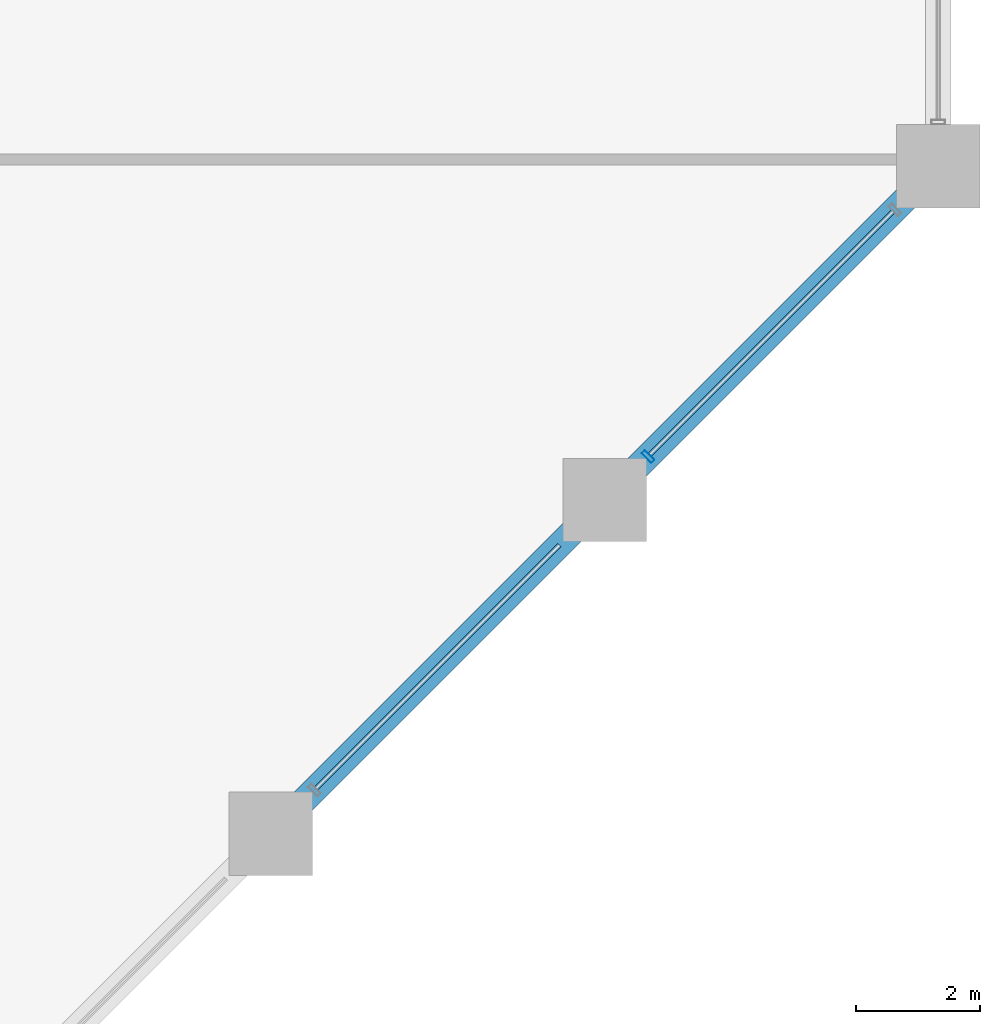
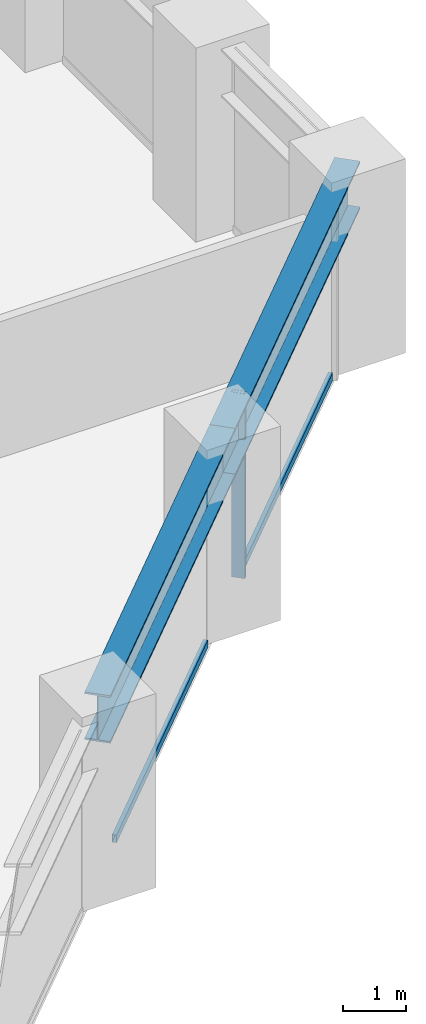
# One storey, part 9 of 25: 3 members, 2 beams, 1 element without a shape of its own.
"""IFC4 building model written with IfcOpenShell, lengths in metres."""

from ifc_helpers import new_model, si_unit, direction, frame, origin, origin_2d, place, context, subcontext, project, spatial, hollow_rectangle, i_section, extrude, material, layer, layer_set, material_profile, profile_set, type_object, element, aggregate, save


model = new_model("IFC4")

# Units and contexts
model_context = context("Model", 3, precision=1e-05, world=origin(), true_north=direction((0.0, 1.0)))
body_context = subcontext(model_context, "Body", "Model", "MODEL_VIEW")
ifc_project = project(units=[si_unit("LENGTHUNIT", "METRE"), si_unit("AREAUNIT", "SQUARE_METRE"), si_unit("VOLUMEUNIT", "CUBIC_METRE"), si_unit("PLANEANGLEUNIT", "RADIAN"), si_unit("MASSUNIT", "GRAM", prefix="KILO")], contexts=[model_context])

# Site, building, storey
site_placement = place(None, origin())
site = spatial("IfcSite", under=ifc_project, at=site_placement, CompositionType="ELEMENT")
building_placement = place(site_placement, origin())
building = spatial("IfcBuilding", under=site, at=building_placement, Name="Surkhivell Harbour Commons", CompositionType="ELEMENT")
storey_placement = place(building_placement, frame((0.0, 0.0, 48.75)))
storey = spatial("IfcBuildingStorey", under=building, at=storey_placement, Name="L12", CompositionType="ELEMENT", Elevation=48.75)

# Beams
ifc_material_1 = material(Name="Steel S460", Category="steel")
ifc_material_profile_1 = material_profile(ifc_material_1, i_section(OverallWidth=0.419921875, OverallDepth=0.9208984375, WebThickness=0.021484375, FlangeThickness=0.03662109375, at=origin_2d()), Name="UB914x419x388")
ifc_profile_set_1 = profile_set([ifc_material_profile_1], Name="Steel S460")
beam_type = type_object("IfcBeamType", Name="BM-SPN-914A", PredefinedType="SPANDREL", material=ifc_profile_set_1)
for number, where, z_axis, x_axis, name in (
    (1, (21.60009765625, -4.300048828125, 3.109619140625), (0.707090796496, 0.707122765516, 0.0), (-0.707122765516, 0.707090796496, 0.0), "L12 Tube Spandrel (21.6,-4.3)"),
    (2, (27.0, 1.10009765625, 3.109619140625), (0.707106781187, 0.707106781187, 0.0), (-0.707106781187, 0.707106781187, 0.0), "L12 Tube Spandrel (27.0,1.1)"),
):
    element("IfcBeam", number, at=place(storey_placement, frame(where, z_axis=z_axis, x_axis=x_axis)), inside=storey, type_object=beam_type, Name=name, PredefinedType="SPANDREL", context=body_context, shape_type="SweptSolid", body=[
        extrude(i_section(OverallWidth=0.419921875, OverallDepth=0.9208984375, WebThickness=0.021484375, FlangeThickness=0.03662109375, at=origin_2d()), origin(), (0.0, 0.0, 1.0), 7.63671875),
    ])

# Curtain wall, members
ifc_material_2 = material(Name="Anodised pale-metal aluminium and insulated glazing", Category="aluminium")
ifc_layer = layer(ifc_material_2, 0.219970703125)
ifc_layer_set = layer_set([ifc_layer], Name="Anodised pale-metal aluminium and insulated glazing")
curtain_wall_type = type_object("IfcCurtainWallType", Name="CW-SYS-Z1", PredefinedType="NOTDEFINED", material=ifc_layer_set)
curtain_wall_placement = place(storey_placement, origin())
curtain_wall = element("IfcCurtainWall", 3, at=curtain_wall_placement, inside=storey, type_object=curtain_wall_type, Name="L12 Curtain Wall CW-L12-E01", PredefinedType="NOTDEFINED")
ifc_material_3 = material(Name="Anodised pale-metal aluminium alloy 6063-T6", Category="aluminium")
ifc_material_profile_2 = material_profile(ifc_material_3, hollow_rectangle(XDim=0.074951171875, YDim=0.219970703125, WallThickness=0.00390625, at=origin_2d()), Name="ALU-MULL-75x220")
ifc_profile_set_2 = profile_set([ifc_material_profile_2], Name="Anodised pale-metal aluminium alloy 6063-T6")
member_type_1 = type_object("IfcMemberType", Name="CWM-220", PredefinedType="MULLION", material=ifc_profile_set_2)
member_1_placement = place(storey_placement, frame((27.703369140625, 1.80322265625, 0.0), z_axis=(0.0, 0.0, 1.0), x_axis=(0.707106781187, 0.707106781187, 0.0)))
member_1 = element("IfcMember", 4, at=member_1_placement, type_object=member_type_1, Name="CW-Z1 mullion 6", PredefinedType="MULLION", context=body_context, shape_type="SweptSolid", body=[
    extrude(hollow_rectangle(XDim=0.074951171875, YDim=0.219970703125, WallThickness=0.00390625, at=origin_2d()), origin(), (0.0, 0.0, 1.0), 3.570068359375),
])
ifc_material_profile_3 = material_profile(ifc_material_3, hollow_rectangle(XDim=0.074951171875, YDim=0.14990234375, WallThickness=0.00341796875, at=origin_2d()), Name="ALU-TRAN-75x150")
ifc_profile_set_3 = profile_set([ifc_material_profile_3], Name="Anodised pale-metal aluminium alloy 6063-T6")
member_type_2 = type_object("IfcMemberType", Name="CWT-150", PredefinedType="USERDEFINED", material=ifc_profile_set_3)
member_2_placement = place(storey_placement, frame((22.329833984375, -3.570068359375, 0.074951171875), z_axis=(0.70712868694, 0.707084874754, 0.0), x_axis=(-0.707084874754, 0.70712868694, 0.0)))
member_2 = element("IfcMember", 5, at=member_2_placement, type_object=member_type_2, Name="CW-Z1 transom 5.1", ObjectType="TRANSOM", PredefinedType="USERDEFINED", context=body_context, shape_type="SweptSolid", body=[
    extrude(hollow_rectangle(XDim=0.074951171875, YDim=0.14990234375, WallThickness=0.00341796875, at=origin_2d()), origin(), (0.0, 0.0, 1.0), 5.572509765625),
])
member_3_placement = place(storey_placement, frame((27.729736328125, 1.829833984375, 0.074951171875), z_axis=(0.707106781187, 0.707106781187, 0.0), x_axis=(-0.707106781187, 0.707106781187, 0.0)))
member_3 = element("IfcMember", 6, at=member_3_placement, type_object=member_type_2, Name="CW-Z1 transom 6.1", ObjectType="TRANSOM", PredefinedType="USERDEFINED", context=body_context, shape_type="SweptSolid", body=[
    extrude(hollow_rectangle(XDim=0.074951171875, YDim=0.14990234375, WallThickness=0.00341796875, at=origin_2d()), origin(), (0.0, 0.0, 1.0), 5.572509765625),
])
aggregate(curtain_wall, [member_2, member_1, member_3])

save(model, "model.ifc")
